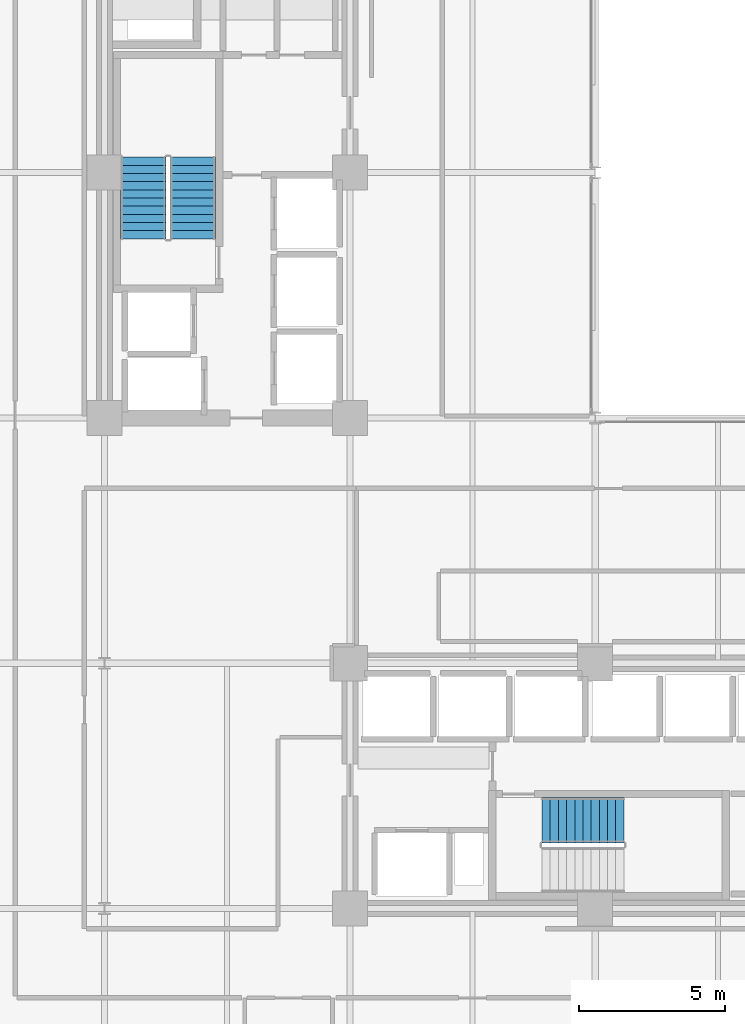
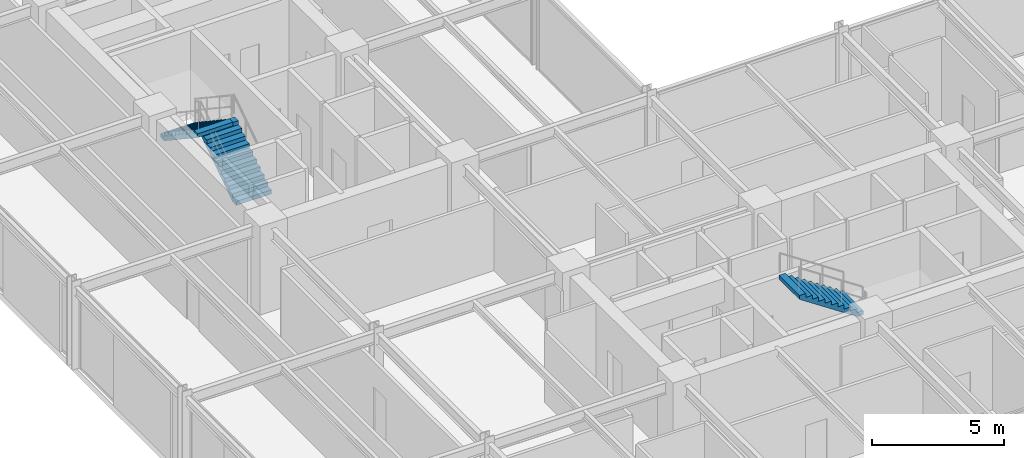
# One storey, part 35 of 38: 3 stair flights, 2 elements without a shape of their own.
"""IFC4 building model written with IfcOpenShell, lengths in metres."""

from ifc_helpers import new_model, si_unit, direction, frame, origin, place, context, subcontext, project, spatial, polyline, outline, extrude, material, type_object, element, aggregate, save


model = new_model("IFC4")

# Units and contexts
model_context = context("Model", 3, precision=1e-05, world=origin(), true_north=direction((0.0, 1.0)))
body_context = subcontext(model_context, "Body", "Model", "MODEL_VIEW")
ifc_project = project(units=[si_unit("LENGTHUNIT", "METRE"), si_unit("AREAUNIT", "SQUARE_METRE"), si_unit("VOLUMEUNIT", "CUBIC_METRE"), si_unit("PLANEANGLEUNIT", "RADIAN"), si_unit("MASSUNIT", "GRAM", prefix="KILO")], contexts=[model_context])

# Site, building, storey
site_placement = place(None, origin())
site = spatial("IfcSite", under=ifc_project, at=site_placement, CompositionType="ELEMENT")
building_placement = place(site_placement, origin())
building = spatial("IfcBuilding", under=site, at=building_placement, Name="Nerrivon Quay Data Exchange", CompositionType="ELEMENT")
storey_placement = place(building_placement, frame((0.0, 0.0, 84.39990234375)))
storey = spatial("IfcBuildingStorey", under=building, at=storey_placement, Name="L19", CompositionType="ELEMENT", Elevation=84.39990234375)

# Stair, stair flights
ifc_material = material(Name="Concrete N50 (50 MPa)", Category="concrete")
stair_type = type_object("IfcStairType", Name="STAIR-DOG-41", PredefinedType="HALF_TURN_STAIR", material=ifc_material)
stair_1_placement = place(storey_placement, origin())
stair_1 = element("IfcStair", 1, at=stair_1_placement, inside=storey, type_object=stair_type, Name="L19 West Core Fire Stair ST01", PredefinedType="HALF_TURN_STAIR")
stair_flight_type = type_object("IfcStairFlightType", Name="FLIGHT-DOG-41", PredefinedType="STRAIGHT", material=ifc_material)
stair_flight_1_placement = place(storey_placement, frame((11.425048828125, 31.330078125, 0.0), z_axis=(0.0, 0.0, 1.0), x_axis=(0.0, 1.0, 0.0)))
stair_flight_1 = element("IfcStairFlight", 2, at=stair_flight_1_placement, type_object=stair_flight_type, Name="ST01 flight 1", NumberOfRisers=11, NumberOfTreads=10, PredefinedType="STRAIGHT", RiserHeight=0.186363636, TreadLength=0.28, context=body_context, shape_type="SweptSolid", body=[
    extrude(outline(polyline([(0.0, 0.0), (0.0, 0.186279296875), (0.280029296875, 0.186279296875), (0.280029296875, 0.372802734375), (0.56005859375, 0.372802734375), (0.56005859375, 0.55908203125), (0.840087890625, 0.55908203125), (0.840087890625, 0.745361328125), (1.1201171875, 0.745361328125), (1.1201171875, 0.931884765625), (1.39990234375, 0.931884765625), (1.39990234375, 1.1181640625), (1.679931640625, 1.1181640625), (1.679931640625, 1.304443359375), (1.9599609375, 1.304443359375), (1.9599609375, 1.490966796875), (2.239990234375, 1.490966796875), (2.239990234375, 1.67724609375), (2.52001953125, 1.67724609375), (2.52001953125, 1.863525390625), (2.800048828125, 1.863525390625), (2.800048828125, 2.050048828125), (2.800048828125, 1.68359375), (0.2705078125, 0.0), (0.0, 0.0)])), frame((0.0, 0.77490234375, 0.0), z_axis=(0.0, -1.0, 0.0), x_axis=(1.0, 0.0, 0.0)), (0.0, 0.0, 1.0), 1.550048828125),
])
stair_flight_2_placement = place(storey_placement, frame((9.72509765625, 34.1298828125, 2.050048828125), z_axis=(0.0, 0.0, 1.0), x_axis=(0.0, -1.0, 0.0)))
stair_flight_2 = element("IfcStairFlight", 3, at=stair_flight_2_placement, type_object=stair_flight_type, Name="ST01 flight 2", NumberOfRisers=11, NumberOfTreads=10, PredefinedType="STRAIGHT", RiserHeight=0.186363636, TreadLength=0.28, context=body_context, shape_type="SweptSolid", body=[
    extrude(outline(polyline([(0.0, 0.0), (0.0, 0.186279296875), (0.280029296875, 0.186279296875), (0.280029296875, 0.372802734375), (0.56005859375, 0.372802734375), (0.56005859375, 0.55908203125), (0.840087890625, 0.55908203125), (0.840087890625, 0.745361328125), (1.1201171875, 0.745361328125), (1.1201171875, 0.931884765625), (1.39990234375, 0.931884765625), (1.39990234375, 1.1181640625), (1.679931640625, 1.1181640625), (1.679931640625, 1.304443359375), (1.9599609375, 1.304443359375), (1.9599609375, 1.490966796875), (2.239990234375, 1.490966796875), (2.239990234375, 1.67724609375), (2.52001953125, 1.67724609375), (2.52001953125, 1.863525390625), (2.800048828125, 1.863525390625), (2.800048828125, 2.050048828125), (2.800048828125, 1.68359375), (0.2705078125, 0.0), (0.0, 0.0)])), frame((0.0, 0.77490234375, 0.0), z_axis=(0.0, -1.0, 0.0), x_axis=(1.0, 0.0, 0.0)), (0.0, 0.0, 1.0), 1.550048828125),
])
aggregate(stair_1, [stair_flight_1, stair_flight_2])

# Stair, stair flight
stair_2_placement = place(storey_placement, origin())
stair_2 = element("IfcStair", 4, at=stair_2_placement, inside=storey, type_object=stair_type, Name="L19 East Core Fire Stair ST02", PredefinedType="HALF_TURN_STAIR")
stair_flight_3_placement = place(storey_placement, frame((26.179931640625, 11.425048828125, 2.050048828125), z_axis=(0.0, 0.0, 1.0), x_axis=(-1.0, 0.0, 0.0)))
stair_flight_3 = element("IfcStairFlight", 5, at=stair_flight_3_placement, type_object=stair_flight_type, Name="ST02 flight 2", NumberOfRisers=11, NumberOfTreads=10, PredefinedType="STRAIGHT", RiserHeight=0.186363636, TreadLength=0.28, context=body_context, shape_type="SweptSolid", body=[
    extrude(outline(polyline([(0.0, 0.0), (0.0, 0.186279296875), (0.280029296875, 0.186279296875), (0.280029296875, 0.372802734375), (0.56005859375, 0.372802734375), (0.56005859375, 0.55908203125), (0.840087890625, 0.55908203125), (0.840087890625, 0.745361328125), (1.1201171875, 0.745361328125), (1.1201171875, 0.931884765625), (1.39990234375, 0.931884765625), (1.39990234375, 1.1181640625), (1.679931640625, 1.1181640625), (1.679931640625, 1.304443359375), (1.9599609375, 1.304443359375), (1.9599609375, 1.490966796875), (2.239990234375, 1.490966796875), (2.239990234375, 1.67724609375), (2.52001953125, 1.67724609375), (2.52001953125, 1.863525390625), (2.800048828125, 1.863525390625), (2.800048828125, 2.050048828125), (2.800048828125, 1.68359375), (0.2705078125, 0.0), (0.0, 0.0)])), frame((0.0, 0.77490234375, 0.0), z_axis=(0.0, -1.0, 0.0), x_axis=(1.0, 0.0, 0.0)), (0.0, 0.0, 1.0), 1.550048828125),
])
aggregate(stair_2, [stair_flight_3])

save(model, "model.ifc")
